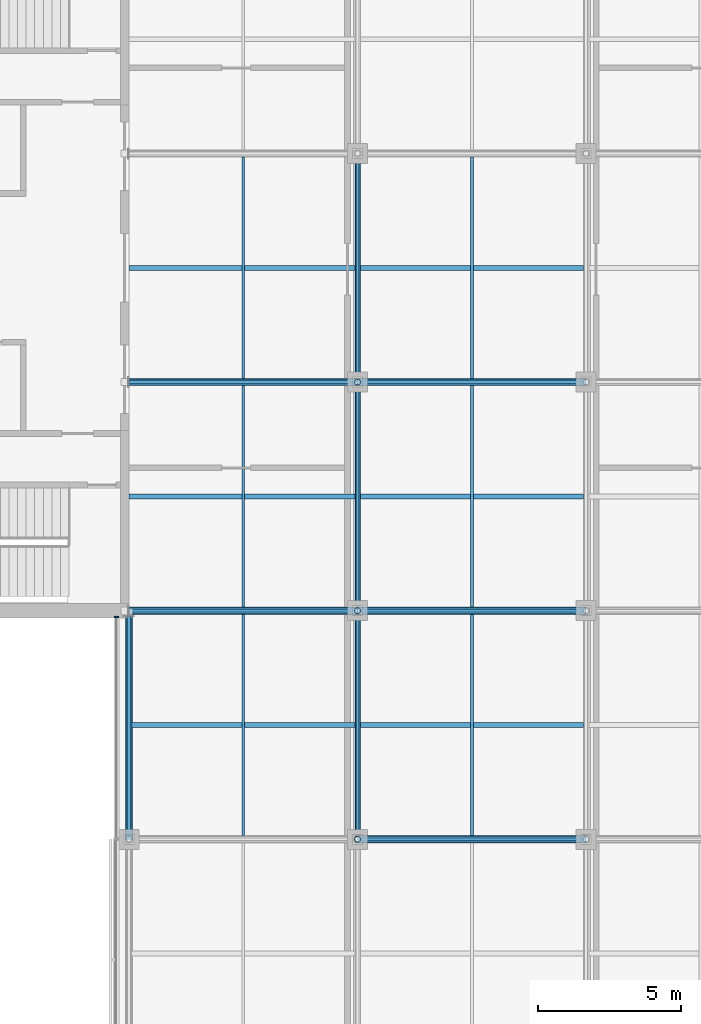
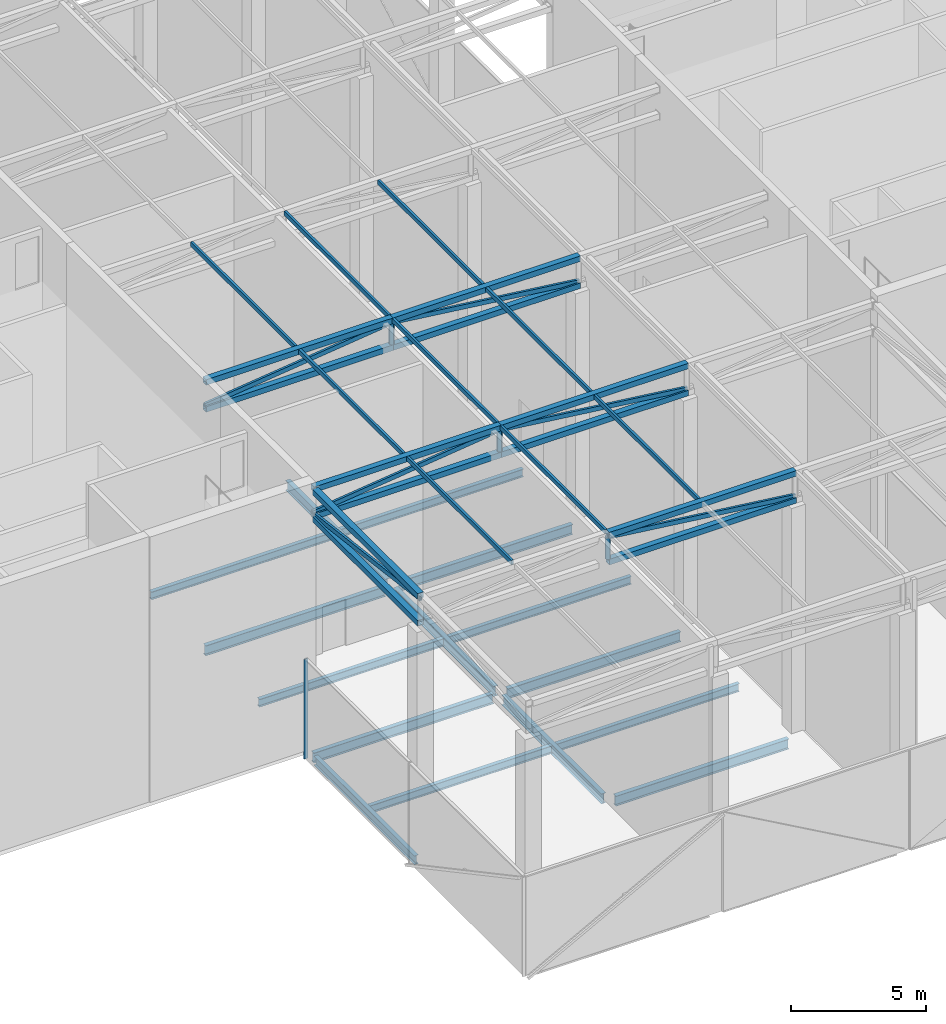
# One storey, part 4 of 23: 31 members, 15 beams, 1 element without a shape of its own.
"""IFC4 building model written with IfcOpenShell, lengths in metres."""

import ifcopenshell
import ifcopenshell.guid

model = None  # the IFC model being written
_history = None  # IfcOwnerHistory: only IFC2X3 demands one
_inside = {}  # id of a spatial element -> (the spatial element, [elements in it])
_under = {}  # id of a project, library or spatial element -> (it, [spatial elements below it])
_declared = {}  # id of a project -> (the project, [libraries it declares])
_typed = {}  # id of a type object -> (the type object, [elements of that type])
_made_of = {}  # id of a material, layer set ... -> (it, [elements and type objects made of it])


def new_model(schema):
    """Start an empty IFC model of exactly this schema.

    Asked for "IFC4X3", IfcOpenShell would pick the latest addendum, in which some entities
    have other attributes; the version numbers below select the first issue.
    IFC2X3 requires an IfcOwnerHistory on every rooted entity: one is made here for all.
    """
    global model, _history
    if schema == "IFC4X3":
        model = ifcopenshell.file(schema_version=(4, 3, 0, 0))
    else:
        model = ifcopenshell.file(schema=schema)
    _inside.clear()
    _under.clear()
    _declared.clear()
    _typed.clear()
    _made_of.clear()
    _history = None
    if model.schema == "IFC2X3":
        org = make("IfcOrganization", Name="unknown")
        user = make(
            "IfcPersonAndOrganization",
            ThePerson=make("IfcPerson", FamilyName="unknown"),
            TheOrganization=org,
        )
        app = make(
            "IfcApplication",
            ApplicationDeveloper=org,
            Version="unknown",
            ApplicationFullName="unknown",
            ApplicationIdentifier="unknown",
        )
        _history = make(
            "IfcOwnerHistory",
            OwningUser=user,
            OwningApplication=app,
            ChangeAction="ADDED",
            CreationDate=0,
        )
    return model


def make(cls, **values):
    """One entity of the class cls with the attributes given. An attribute that is None is left unset."""
    return model.create_entity(
        cls, **{name: value for name, value in values.items() if value is not None}
    )


def rooted(cls, **values):
    """An entity with a GlobalId (a new one), such as an element, a storey or a relation."""
    return make(cls, GlobalId=ifcopenshell.guid.new(), OwnerHistory=_history, **values)


def si_unit(unit_type, name, prefix=None):
    """IfcSIUnit, for example si_unit("LENGTHUNIT", "METRE", prefix="MILLI")."""
    return make("IfcSIUnit", UnitType=unit_type, Prefix=prefix, Name=name)


def assignment(units):
    """IfcUnitAssignment: the units of a project."""
    return None if units is None else make("IfcUnitAssignment", Units=units)


def point(xyz):
    """IfcCartesianPoint."""
    return None if xyz is None else make("IfcCartesianPoint", Coordinates=xyz)


def direction(xyz):
    """IfcDirection."""
    return None if xyz is None else make("IfcDirection", DirectionRatios=xyz)


def frame(location, z_axis=None, x_axis=None):
    """IfcAxis2Placement3D, a coordinate frame: its origin and axes. An axis left out is left unset."""
    return make(
        "IfcAxis2Placement3D",
        Location=point(location),
        Axis=direction(z_axis),
        RefDirection=direction(x_axis),
    )


def frame_2d(location, x_axis=None):
    """IfcAxis2Placement2D, a coordinate frame in the plane: its origin and x axis."""
    return make(
        "IfcAxis2Placement2D", Location=point(location), RefDirection=direction(x_axis)
    )


def origin():
    """The frame at (0, 0, 0) with its axes left unset."""
    return frame((0.0, 0.0, 0.0))


def origin_2d():
    """The frame at (0, 0) in the plane with its x axis left unset."""
    return frame_2d((0.0, 0.0))


def place(relative_to, where):
    """IfcLocalPlacement: puts the frame where relative to a parent placement (None: the world)."""
    return make(
        "IfcLocalPlacement", PlacementRelTo=relative_to, RelativePlacement=where
    )


def context(
    kind, dimensions, precision=None, world=None, true_north=None, identifier=None
):
    """IfcGeometricRepresentationContext, for example the 3D "Model" context."""
    return make(
        "IfcGeometricRepresentationContext",
        ContextIdentifier=identifier,
        ContextType=kind,
        CoordinateSpaceDimension=dimensions,
        Precision=precision,
        WorldCoordinateSystem=world,
        TrueNorth=true_north,
    )


def subcontext(parent, identifier, kind, view, scale=None):
    """IfcGeometricRepresentationSubContext, for example "Body" below "Model"."""
    return make(
        "IfcGeometricRepresentationSubContext",
        ContextIdentifier=identifier,
        ContextType=kind,
        ParentContext=parent,
        TargetScale=scale,
        TargetView=view,
    )


def project(units=None, contexts=None):
    """IfcProject with its units and contexts."""
    return rooted(
        "IfcProject",
        Name="project",
        RepresentationContexts=contexts,
        UnitsInContext=assignment(units),
    )


def spatial(cls, under=None, at=None, **own):
    """A site, building, storey or space (cls), placed at a placement, below another one or the project."""
    s = rooted(cls, ObjectPlacement=at, **own)
    if under is not None:
        _under.setdefault(under.id(), (under, []))[1].append(s)
    return s


def profile(cls, at=None, kind="AREA", **sizes):
    """A parametric profile (cls). Its sizes go by their IFC names, for example OverallWidth=200.0."""
    return make(cls, ProfileType=kind, Position=at, **sizes)


def rectangle(**sizes):
    """IfcRectangleProfileDef."""
    return profile("IfcRectangleProfileDef", **sizes)


def hollow_rectangle(**sizes):
    """IfcRectangleHollowProfileDef."""
    return profile("IfcRectangleHollowProfileDef", **sizes)


def hollow_circle(**sizes):
    """IfcCircleHollowProfileDef."""
    return profile("IfcCircleHollowProfileDef", **sizes)


def i_section(**sizes):
    """IfcIShapeProfileDef."""
    return profile("IfcIShapeProfileDef", **sizes)


def extrude(swept, where, along, depth):
    """IfcExtrudedAreaSolid: the profile swept, set in the frame where, extruded along a direction by depth."""
    return make(
        "IfcExtrudedAreaSolid",
        SweptArea=swept,
        Position=where,
        ExtrudedDirection=direction(along),
        Depth=depth,
    )


def shape(context_of_items, identifier, shape_type, items):
    """IfcShapeRepresentation: the items that make up one representation, for example the "Body"."""
    return make(
        "IfcShapeRepresentation",
        ContextOfItems=context_of_items,
        RepresentationIdentifier=identifier,
        RepresentationType=shape_type,
        Items=items,
    )


def material(Name=None, Category=None):
    """IfcMaterial."""
    return make("IfcMaterial", Name=Name, Category=Category)


def material_profile(
    of_material, cross_section, Name=None, Category=None, Priority=None
):
    """IfcMaterialProfile: a cross section and its material."""
    return make(
        "IfcMaterialProfile",
        Name=Name,
        Material=of_material,
        Profile=cross_section,
        Priority=Priority,
        Category=Category,
    )


def profile_set(profiles, Name=None, composite=None):
    """IfcMaterialProfileSet."""
    return make(
        "IfcMaterialProfileSet",
        Name=Name,
        MaterialProfiles=profiles,
        CompositeProfile=composite,
    )


def made_of(thing, what):
    """Note that an element or type object is made of a material, layer set ...; save() writes the relation."""
    if what is not None:
        _made_of.setdefault(what.id(), (what, []))[1].append(thing)
    return thing


def type_object(cls, material=None, **own):
    """A type object (cls), such as IfcWallType, which elements share."""
    return made_of(rooted(cls, **own), material)


def element(
    cls,
    number,
    at=None,
    inside=None,
    cuts=None,
    type_object=None,
    material=None,
    context=None,
    identifier="Body",
    shape_type=None,
    held_by="IfcProductDefinitionShape",
    body=None,
    shapes=None,
    **own,
):
    """One element of the class cls, such as IfcWall. Its Tag is "e" and its number.

    at: its placement. inside: the storey or other place that contains it. cuts: it is an
    opening in that element (IfcRelVoidsElement). A single representation is given by context,
    identifier, shape_type and body (its items); several are given by shapes. held_by: the class
    of the entity that holds the representations. save() writes the other relations.
    """
    e = rooted(cls, Tag="e%d" % number, ObjectPlacement=at, **own)
    if body is not None:
        shapes = [shape(context, identifier, shape_type, body)]
    if shapes is not None:
        e.Representation = make(held_by, Representations=shapes)
    if inside is not None:
        _inside.setdefault(inside.id(), (inside, []))[1].append(e)
    if cuts is not None:
        rooted(
            "IfcRelVoidsElement", RelatingBuildingElement=cuts, RelatedOpeningElement=e
        )
    if type_object is not None:
        _typed.setdefault(type_object.id(), (type_object, []))[1].append(e)
    return made_of(e, material)


def aggregate(whole, parts):
    """IfcRelAggregates: a whole, such as a stair, and the parts it consists of."""
    return rooted("IfcRelAggregates", RelatingObject=whole, RelatedObjects=parts)


def save(model, path):
    """Write the relations noted so far, then the file.

    IfcRelAggregates (storeys below a building ...), IfcRelContainedInSpatialStructure (elements
    in a storey), IfcRelDefinesByType, IfcRelAssociatesMaterial and IfcRelDeclares: one each for
    every whole, place, type object, material and project.
    """
    for whole, parts in _under.values():
        aggregate(whole, parts)
    for where, things in _inside.values():
        rooted(
            "IfcRelContainedInSpatialStructure",
            RelatedElements=things,
            RelatingStructure=where,
        )
    for kind, things in _typed.values():
        rooted("IfcRelDefinesByType", RelatedObjects=things, RelatingType=kind)
    for what, things in _made_of.values():
        rooted("IfcRelAssociatesMaterial", RelatedObjects=things, RelatingMaterial=what)
    for by, libraries in _declared.values():
        rooted("IfcRelDeclares", RelatingContext=by, RelatedDefinitions=libraries)
    model.write(path)


model = new_model("IFC4")

# Units and contexts
model_context = context("Model", 3, precision=1e-05, world=origin(), true_north=direction((0.0, 1.0)))
body_context = subcontext(model_context, "Body", "Model", "MODEL_VIEW")
ifc_project = project(units=[si_unit("LENGTHUNIT", "METRE"), si_unit("AREAUNIT", "SQUARE_METRE"), si_unit("VOLUMEUNIT", "CUBIC_METRE"), si_unit("PLANEANGLEUNIT", "RADIAN"), si_unit("MASSUNIT", "GRAM", prefix="KILO")], contexts=[model_context])

# Site, building, storey
site_placement = place(None, origin())
site = spatial("IfcSite", under=ifc_project, at=site_placement, CompositionType="ELEMENT")
building_placement = place(site_placement, origin())
building = spatial("IfcBuilding", under=site, at=building_placement, Name="Crosswind Convention Tower", CompositionType="ELEMENT")
storey_placement = place(building_placement, frame((0.0, 0.0, 349.10009765625)))
storey = spatial("IfcBuildingStorey", under=building, at=storey_placement, Name="L76", CompositionType="ELEMENT", Elevation=349.10009765625)

# Beams
ifc_material_1 = material(Name="Steel S355", Category="steel")
ifc_material_profile_1 = material_profile(ifc_material_1, i_section(OverallWidth=0.177490234375, OverallDepth=0.402587890625, WebThickness=0.007568359375, FlangeThickness=0.010986328125, FilletRadius=0.01025390625, at=origin_2d()), Name="UB 406x178x54")
ifc_profile_set_1 = profile_set([ifc_material_profile_1], Name="Steel S355")
beam_type_1 = type_object("IfcBeamType", Name="Edge beam UB 406x178x54", PredefinedType="SPANDREL", material=ifc_profile_set_1)
beam_1_placement = place(storey_placement, frame((113.0, 80.300048828125, -0.551513671875), z_axis=(0.0, 1.0, 0.0), x_axis=(-1.0, 0.0, 0.0)))
element("IfcBeam", 1, at=beam_1_placement, inside=storey, type_object=beam_type_1, Name="B14 L76 edge beam 2", PredefinedType="SPANDREL", context=body_context, shape_type="SweptSolid", body=[
    extrude(i_section(OverallWidth=0.177490234375, OverallDepth=0.402587890625, WebThickness=0.007568359375, FlangeThickness=0.010986328125, FilletRadius=0.01025390625, at=origin_2d()), origin(), (0.0, 0.0, 1.0), 7.449951171875),
])
ifc_material_profile_2 = material_profile(ifc_material_1, i_section(OverallWidth=0.18994140625, OverallDepth=0.45361328125, WebThickness=0.008544921875, FlangeThickness=0.0126953125, FilletRadius=0.01025390625, at=origin_2d()), Name="UB 457x191x67")
ifc_profile_set_2 = profile_set([ifc_material_profile_2], Name="Steel S355")
beam_type_2 = type_object("IfcBeamType", Name="Girder UB 457x191x67", PredefinedType="BEAM", material=ifc_profile_set_2)
for number, where, z_axis, x_axis, name in (
    (2, (121.0, 80.300048828125, -0.576904296875), (0.0, 1.0, 0.0), (-1.0, 0.0, 0.0), "B1 L76 girder 4"),
    (3, (121.0, 88.300048828125, -0.576904296875), (0.0, 1.0, 0.0), (-1.0, 0.0, 0.0), "B1 L76 girder 5"),
    (4, (121.0, 96.300048828125, -0.576904296875), (0.0, 1.0, 0.0), (-1.0, 0.0, 0.0), "B1 L76 girder 6"),
    (5, (121.300048828125, 80.0, -0.576904296875), (1.0, 0.0, 0.0), (0.0, 1.0, 0.0), "B1 L76 girder 10"),
    (6, (121.300048828125, 88.0, -0.576904296875), (1.0, 0.0, 0.0), (0.0, 1.0, 0.0), "B1 L76 girder 11"),
    (7, (121.300048828125, 96.0, -0.576904296875), (1.0, 0.0, 0.0), (0.0, 1.0, 0.0), "B1 L76 girder 12"),
):
    element("IfcBeam", number, at=place(storey_placement, frame(where, z_axis=z_axis, x_axis=x_axis)), inside=storey, type_object=beam_type_2, Name=name, PredefinedType="BEAM", context=body_context, shape_type="SweptSolid", body=[
        extrude(i_section(OverallWidth=0.18994140625, OverallDepth=0.45361328125, WebThickness=0.008544921875, FlangeThickness=0.0126953125, FilletRadius=0.01025390625, at=origin_2d()), origin(), (0.0, 0.0, 1.0), 7.39990234375),
    ])
ifc_material_profile_3 = material_profile(ifc_material_1, i_section(OverallWidth=0.18994140625, OverallDepth=0.45361328125, WebThickness=0.008544921875, FlangeThickness=0.0126953125, FilletRadius=0.01025390625, at=origin_2d()), Name="UB 457x191x67")
ifc_profile_set_3 = profile_set([ifc_material_profile_3], Name="Steel S355")
beam_type_3 = type_object("IfcBeamType", Name="Girder at core wall UB 457x191x67", PredefinedType="BEAM", material=ifc_profile_set_3)
for number, where, z_axis, x_axis, name in (
    (8, (113.0, 88.0, -0.576904296875), (1.0, 0.0, 0.0), (0.0, 1.0, 0.0), "B21 L76 girder at core wall 1"),
    (9, (113.0, 96.0, -0.576904296875), (1.0, 0.0, 0.0), (0.0, 1.0, 0.0), "B21 L76 girder at core wall 2"),
):
    element("IfcBeam", number, at=place(storey_placement, frame(where, z_axis=z_axis, x_axis=x_axis)), inside=storey, type_object=beam_type_3, Name=name, PredefinedType="BEAM", context=body_context, shape_type="SweptSolid", body=[
        extrude(i_section(OverallWidth=0.18994140625, OverallDepth=0.45361328125, WebThickness=0.008544921875, FlangeThickness=0.0126953125, FilletRadius=0.01025390625, at=origin_2d()), origin(), (0.0, 0.0, 1.0), 7.699951171875),
    ])

# Curtain wall, member
ifc_material_2 = material(Name="Aluminium unitised curtain wall", Category="aluminium")
curtain_wall_type = type_object("IfcCurtainWallType", Name="CORE END SLOT WALL 160", PredefinedType="USERDEFINED", material=ifc_material_2)
curtain_wall_placement = place(storey_placement, origin())
curtain_wall = element("IfcCurtainWall", 10, at=curtain_wall_placement, inside=storey, type_object=curtain_wall_type, Name="CW6 L76 S-W.1-1 slot", ObjectType="UNITISED", PredefinedType="USERDEFINED")
ifc_material_3 = material(Name="Aluminium mullion", Category="aluminium")
ifc_material_profile_4 = material_profile(ifc_material_3, rectangle(XDim=0.159912109375, YDim=0.050048828125, at=origin_2d()), Name="AL 160X50")
ifc_profile_set_4 = profile_set([ifc_material_profile_4], Name="Aluminium mullion")
member_type_1 = type_object("IfcMemberType", Name="MULLION 50X160", PredefinedType="MULLION", material=ifc_profile_set_4)
member_1_placement = place(storey_placement, frame((112.570068359375, 87.77490234375, -0.35009765625), z_axis=(0.0, 0.0, 1.0), x_axis=(-1.0, 0.0, 0.0)))
member_1 = element("IfcMember", 11, at=member_1_placement, type_object=member_type_1, Name="CW6 mullion 1", PredefinedType="MULLION", context=body_context, shape_type="SweptSolid", body=[
    extrude(rectangle(XDim=0.159912109375, YDim=0.050048828125, at=origin_2d()), origin(), (0.0, 0.0, 1.0), 4.5),
])
aggregate(curtain_wall, [member_1])

# Members
ifc_material_profile_5 = material_profile(ifc_material_1, hollow_rectangle(XDim=0.10009765625, YDim=0.199951171875, WallThickness=0.010009765625, at=origin_2d()), Name="RHS 200x100x10.0")
ifc_profile_set_5 = profile_set([ifc_material_profile_5], Name="Steel S355")
member_type_2 = type_object("IfcMemberType", Name="Roof purlin RHS 200x100x10.0", PredefinedType="PURLIN", material=ifc_profile_set_5)
for number, where, z_axis, x_axis, name in (
    (12, (117.0, 80.125, 11.599853515625), (0.0, 1.0, 0.0), (-1.0, 0.0, 0.0), "M14 L76 roof purlin 6"),
    (13, (121.0, 80.125, 11.599853515625), (0.0, 1.0, 0.0), (-1.0, 0.0, 0.0), "M14 L76 roof purlin 7"),
    (14, (125.0, 80.125, 11.599853515625), (0.0, 1.0, 0.0), (-1.0, 0.0, 0.0), "M14 L76 roof purlin 8"),
    (15, (117.0, 88.125, 11.599853515625), (0.0, 1.0, 0.0), (-1.0, 0.0, 0.0), "M14 L76 roof purlin 11"),
    (16, (121.0, 88.125, 11.599853515625), (0.0, 1.0, 0.0), (-1.0, 0.0, 0.0), "M14 L76 roof purlin 12"),
    (17, (125.0, 88.125, 11.599853515625), (0.0, 1.0, 0.0), (-1.0, 0.0, 0.0), "M14 L76 roof purlin 13"),
    (18, (117.0, 96.125, 11.599853515625), (0.0, 1.0, 0.0), (-1.0, 0.0, 0.0), "M14 L76 roof purlin 16"),
    (19, (121.0, 96.125, 11.599853515625), (0.0, 1.0, 0.0), (-1.0, 0.0, 0.0), "M14 L76 roof purlin 17"),
    (20, (125.0, 96.125, 11.599853515625), (0.0, 1.0, 0.0), (-1.0, 0.0, 0.0), "M14 L76 roof purlin 18"),
):
    element("IfcMember", number, at=place(storey_placement, frame(where, z_axis=z_axis, x_axis=x_axis)), inside=storey, type_object=member_type_2, Name=name, PredefinedType="PURLIN", context=body_context, shape_type="SweptSolid", body=[
        extrude(hollow_rectangle(XDim=0.10009765625, YDim=0.199951171875, WallThickness=0.010009765625, at=origin_2d()), origin(), (0.0, 0.0, 1.0), 7.75),
    ])
ifc_material_profile_6 = material_profile(ifc_material_1, hollow_rectangle(XDim=0.25, YDim=0.25, WallThickness=0.010009765625, at=origin_2d()), Name="SHS 250x250x10.0")
ifc_profile_set_6 = profile_set([ifc_material_profile_6], Name="Steel S355")
member_type_3 = type_object("IfcMemberType", Name="Roof truss chord SHS 250x250x10.0", PredefinedType="CHORD", material=ifc_profile_set_6)
for number, where, z_axis, x_axis, name in (
    (21, (121.0, 80.0, 10.35498046875), (1.0, 0.0, 0.0), (0.0, 1.0, 0.0), "M11 L76 roof truss 2 bottom chord 2"),
    (22, (121.0, 80.0, 11.574951171875), (1.0, 0.0, 0.0), (0.0, 1.0, 0.0), "M11 L76 roof truss 2 top chord 2"),
    (23, (113.0, 88.0, 10.35498046875), (1.0, 0.0, 0.0), (0.0, 1.0, 0.0), "M11 L76 roof truss 3 bottom chord 1"),
    (24, (113.0, 88.0, 11.574951171875), (1.0, 0.0, 0.0), (0.0, 1.0, 0.0), "M11 L76 roof truss 3 top chord 1"),
    (25, (121.0, 88.0, 10.35498046875), (1.0, 0.0, 0.0), (0.0, 1.0, 0.0), "M11 L76 roof truss 3 bottom chord 2"),
    (26, (121.0, 88.0, 11.574951171875), (1.0, 0.0, 0.0), (0.0, 1.0, 0.0), "M11 L76 roof truss 3 top chord 2"),
    (27, (113.0, 96.0, 10.35498046875), (1.0, 0.0, 0.0), (0.0, 1.0, 0.0), "M11 L76 roof truss 4 bottom chord 1"),
    (28, (113.0, 96.0, 11.574951171875), (1.0, 0.0, 0.0), (0.0, 1.0, 0.0), "M11 L76 roof truss 4 top chord 1"),
    (29, (121.0, 96.0, 10.35498046875), (1.0, 0.0, 0.0), (0.0, 1.0, 0.0), "M11 L76 roof truss 4 bottom chord 2"),
    (30, (121.0, 96.0, 11.574951171875), (1.0, 0.0, 0.0), (0.0, 1.0, 0.0), "M11 L76 roof truss 4 top chord 2"),
):
    element("IfcMember", number, at=place(storey_placement, frame(where, z_axis=z_axis, x_axis=x_axis)), inside=storey, type_object=member_type_3, Name=name, PredefinedType="CHORD", context=body_context, shape_type="SweptSolid", body=[
        extrude(hollow_rectangle(XDim=0.25, YDim=0.25, WallThickness=0.010009765625, at=origin_2d()), origin(), (0.0, 0.0, 1.0), 8.0),
    ])
for number, where, z_axis, x_axis, name in (
    (31, (113.0, 80.0, 10.35498046875), (0.0, 1.0, 0.0), (-1.0, 0.0, 0.0), "M11 L76 roof truss 10 bottom chord 2"),
    (32, (113.0, 80.0, 11.574951171875), (0.0, 1.0, 0.0), (-1.0, 0.0, 0.0), "M11 L76 roof truss 10 top chord 2"),
):
    element("IfcMember", number, at=place(storey_placement, frame(where, z_axis=z_axis, x_axis=x_axis)), inside=storey, type_object=member_type_3, Name=name, PredefinedType="CHORD", context=body_context, shape_type="SweptSolid", body=[
        extrude(hollow_rectangle(XDim=0.25, YDim=0.25, WallThickness=0.010009765625, at=origin_2d()), origin(), (0.0, 0.0, 1.0), 7.800048828125),
    ])
ifc_material_profile_7 = material_profile(ifc_material_1, hollow_rectangle(XDim=0.10009765625, YDim=0.199951171875, WallThickness=0.010009765625, at=origin_2d()), Name="RHS 200x100x10.0")
ifc_profile_set_7 = profile_set([ifc_material_profile_7], Name="Steel S355")
member_type_4 = type_object("IfcMemberType", Name="Roof truss diagonal RHS 200x100x10.0", PredefinedType="BRACE", material=ifc_profile_set_7)
for number, where, z_axis, x_axis, name in (
    (33, (121.0, 80.0, 11.449951171875), (0.992729723764, 0.0, -0.120364843522), (0.0, 1.0, 0.0), "M12 L76 roof truss 2 diagonal 2"),
    (34, (113.0, 88.0, 10.47998046875), (0.992729723764, 0.0, 0.120364843522), (0.0, 1.0, 0.0), "M12 L76 roof truss 3 diagonal 1"),
    (35, (121.0, 88.0, 11.449951171875), (0.992729723764, 0.0, -0.120364843522), (0.0, 1.0, 0.0), "M12 L76 roof truss 3 diagonal 2"),
    (36, (113.0, 96.0, 10.47998046875), (0.992729723764, 0.0, 0.120364843522), (0.0, 1.0, 0.0), "M12 L76 roof truss 4 diagonal 1"),
    (37, (121.0, 96.0, 11.449951171875), (0.992729723764, 0.0, -0.120364843522), (0.0, 1.0, 0.0), "M12 L76 roof truss 4 diagonal 2"),
):
    element("IfcMember", number, at=place(storey_placement, frame(where, z_axis=z_axis, x_axis=x_axis)), inside=storey, type_object=member_type_4, Name=name, PredefinedType="BRACE", context=body_context, shape_type="SweptSolid", body=[
        extrude(hollow_rectangle(XDim=0.10009765625, YDim=0.199951171875, WallThickness=0.010009765625, at=origin_2d()), origin(), (0.0, 0.0, 1.0), 8.05859375),
    ])
member_2_placement = place(storey_placement, frame((113.0, 80.0, 11.449951171875), z_axis=(0.0, 0.992356522481, -0.123403939523), x_axis=(-1.0, 0.0, 0.0)))
element("IfcMember", 38, at=member_2_placement, inside=storey, type_object=member_type_4, Name="M12 L76 roof truss 10 diagonal 2", PredefinedType="BRACE", context=body_context, shape_type="SweptSolid", body=[
    extrude(hollow_rectangle(XDim=0.10009765625, YDim=0.199951171875, WallThickness=0.010009765625, at=origin_2d()), origin(), (0.0, 0.0, 1.0), 7.860107421875),
])
ifc_material_profile_8 = material_profile(ifc_material_1, hollow_circle(Radius=0.109619140625, WallThickness=0.010009765625, at=origin_2d()), Name="CHS 219.1x10.0")
ifc_profile_set_8 = profile_set([ifc_material_profile_8], Name="Steel S355")
member_type_5 = type_object("IfcMemberType", Name="Roof truss post CHS 219.1x10.0", PredefinedType="POST", material=ifc_profile_set_8)
for number, where, z_axis, x_axis, name in (
    (39, (121.0, 80.0, 10.47998046875), (0.0, 0.0, 1.0), (1.0, 0.0, 0.0), "M13 L76 roof truss 2 post 1"),
    (40, (121.0, 88.0, 10.47998046875), (0.0, 0.0, 1.0), (1.0, 0.0, 0.0), "M13 L76 roof truss 3 post 1"),
    (41, (121.0, 96.0, 10.47998046875), (0.0, 0.0, 1.0), (1.0, 0.0, 0.0), "M13 L76 roof truss 4 post 1"),
):
    element("IfcMember", number, at=place(storey_placement, frame(where, z_axis=z_axis, x_axis=x_axis)), inside=storey, type_object=member_type_5, Name=name, PredefinedType="POST", context=body_context, shape_type="SweptSolid", body=[
        extrude(hollow_circle(Radius=0.109619140625, WallThickness=0.010009765625, at=origin_2d()), origin(), (0.0, 0.0, 1.0), 0.969970703125),
    ])

# Beams
ifc_material_profile_9 = material_profile(ifc_material_1, i_section(OverallWidth=0.1708984375, OverallDepth=0.35205078125, WebThickness=0.0068359375, FlangeThickness=0.009765625, FilletRadius=0.01025390625, at=origin_2d()), Name="UB 356x171x45")
ifc_profile_set_9 = profile_set([ifc_material_profile_9], Name="Steel S355")
beam_type_4 = type_object("IfcBeamType", Name="Secondary beam UB 356x171x45", PredefinedType="JOIST", material=ifc_profile_set_9)
for number, where, z_axis, x_axis, name in (
    (42, (113.0, 92.0, -0.526123046875), (1.0, 0.0, 0.0), (0.0, 1.0, 0.0), "B7 L76 secondary beam 1"),
    (43, (113.0, 100.0, -0.526123046875), (1.0, 0.0, 0.0), (0.0, 1.0, 0.0), "B7 L76 secondary beam 2"),
):
    element("IfcBeam", number, at=place(storey_placement, frame(where, z_axis=z_axis, x_axis=x_axis)), inside=storey, type_object=beam_type_4, Name=name, PredefinedType="JOIST", context=body_context, shape_type="SweptSolid", body=[
        extrude(i_section(OverallWidth=0.1708984375, OverallDepth=0.35205078125, WebThickness=0.0068359375, FlangeThickness=0.009765625, FilletRadius=0.01025390625, at=origin_2d()), origin(), (0.0, 0.0, 1.0), 7.905029296875),
    ])
beam_2_placement = place(storey_placement, frame((113.0888671875, 84.0, -0.526123046875), z_axis=(1.0, 0.0, 0.0), x_axis=(0.0, 1.0, 0.0)))
element("IfcBeam", 44, at=beam_2_placement, inside=storey, type_object=beam_type_4, Name="B7 L76 secondary beam 5", PredefinedType="JOIST", context=body_context, shape_type="SweptSolid", body=[
    extrude(i_section(OverallWidth=0.1708984375, OverallDepth=0.35205078125, WebThickness=0.0068359375, FlangeThickness=0.009765625, FilletRadius=0.01025390625, at=origin_2d()), origin(), (0.0, 0.0, 1.0), 7.816162109375),
])
for number, where, z_axis, x_axis, name in (
    (45, (121.094970703125, 84.0, -0.526123046875), (1.0, 0.0, 0.0), (0.0, 1.0, 0.0), "B7 L76 secondary beam 9"),
    (46, (121.094970703125, 92.0, -0.526123046875), (1.0, 0.0, 0.0), (0.0, 1.0, 0.0), "B7 L76 secondary beam 10"),
    (47, (121.094970703125, 100.0, -0.526123046875), (1.0, 0.0, 0.0), (0.0, 1.0, 0.0), "B7 L76 secondary beam 11"),
):
    element("IfcBeam", number, at=place(storey_placement, frame(where, z_axis=z_axis, x_axis=x_axis)), inside=storey, type_object=beam_type_4, Name=name, PredefinedType="JOIST", context=body_context, shape_type="SweptSolid", body=[
        extrude(i_section(OverallWidth=0.1708984375, OverallDepth=0.35205078125, WebThickness=0.0068359375, FlangeThickness=0.009765625, FilletRadius=0.01025390625, at=origin_2d()), origin(), (0.0, 0.0, 1.0), 7.81005859375),
    ])

save(model, "model.ifc")
